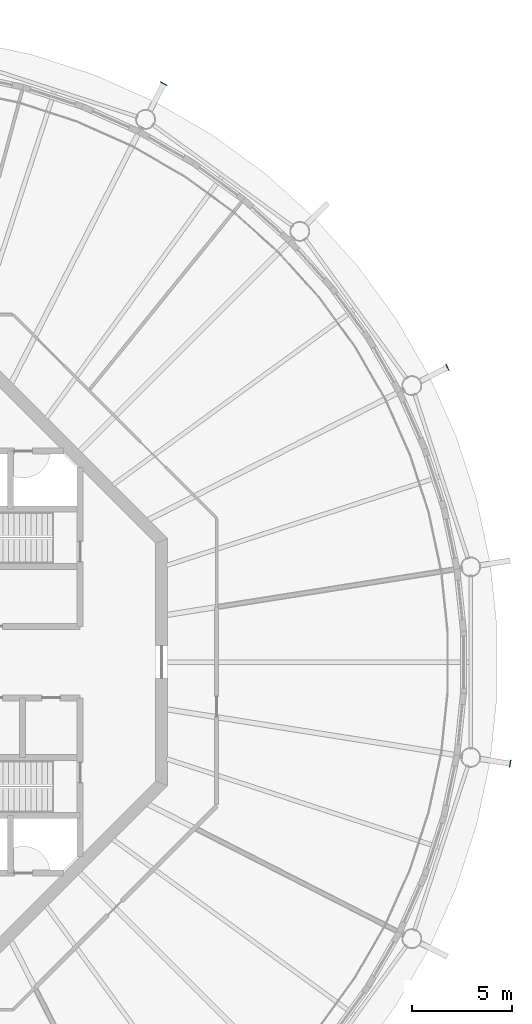
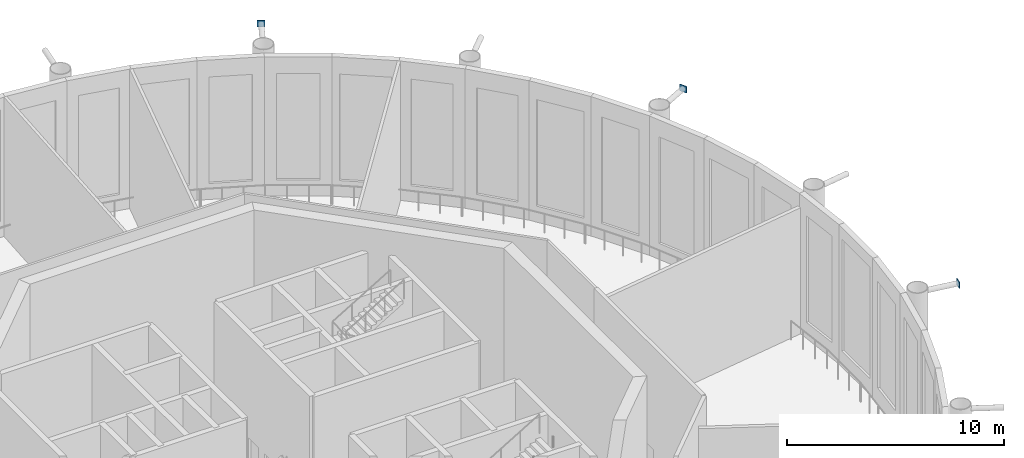
# One storey, part 13 of 17: 3 discrete accessories.
"""IFC4 building model written with IfcOpenShell, lengths in metres."""

from ifc_helpers import new_model, si_unit, direction, frame, origin, origin_2d, place, context, subcontext, project, spatial, rectangle, extrude, material, element, save


model = new_model("IFC4")

# Units and contexts
model_context = context("Model", 3, precision=1e-05, world=origin(), true_north=direction((0.0, 1.0)))
body_context = subcontext(model_context, "Body", "Model", "MODEL_VIEW")
ifc_project = project(units=[si_unit("LENGTHUNIT", "METRE"), si_unit("AREAUNIT", "SQUARE_METRE"), si_unit("VOLUMEUNIT", "CUBIC_METRE"), si_unit("PLANEANGLEUNIT", "RADIAN"), si_unit("MASSUNIT", "GRAM", prefix="KILO")], contexts=[model_context])

# Site, building, storey
site_placement = place(None, origin())
site = spatial("IfcSite", under=ifc_project, at=site_placement, CompositionType="ELEMENT")
building_placement = place(site_placement, origin())
building = spatial("IfcBuilding", under=site, at=building_placement, Name="Entoto Ring Tower", CompositionType="ELEMENT")
storey_placement = place(building_placement, frame((0.0, 0.0, 407.0)))
storey = spatial("IfcBuildingStorey", under=building, at=storey_placement, Name="L93", CompositionType="ELEMENT", Elevation=407.0)

# Discrete accessories
ifc_material = material(Name="Steel S355", Category="steel")
for number, where, z_axis, x_axis, name in (
    (1, (119.06005859375, 94.806884765625, 7.52685546875), (0.0, 0.0, 1.0), (0.891006524188, 0.45399049974, 0.0), "Node strut end plate DS2 ring 30 02"),
    (2, (104.806884765625, 109.06005859375, 7.52685546875), (0.0, 0.0, 1.0), (0.45399049974, 0.891006524188, 0.0), "Node strut end plate DS2 ring 30 04"),
    (3, (122.21337890625, 74.89794921875, 7.52685546875), (0.0, 0.0, 1.0), (0.987688340595, -0.15643446504, 0.0), "Node strut end plate DS2 ring 30 20"),
):
    element("IfcDiscreteAccessory", number, at=place(storey_placement, frame(where, z_axis=z_axis, x_axis=x_axis)), inside=storey, material=ifc_material, Name=name, PredefinedType="BRACKET", context=body_context, shape_type="SweptSolid", body=[
        extrude(rectangle(XDim=0.030029296875, YDim=0.373046875, at=origin_2d()), origin(), (0.0, 0.0, 1.0), 0.373046875),
    ])

save(model, "model.ifc")
